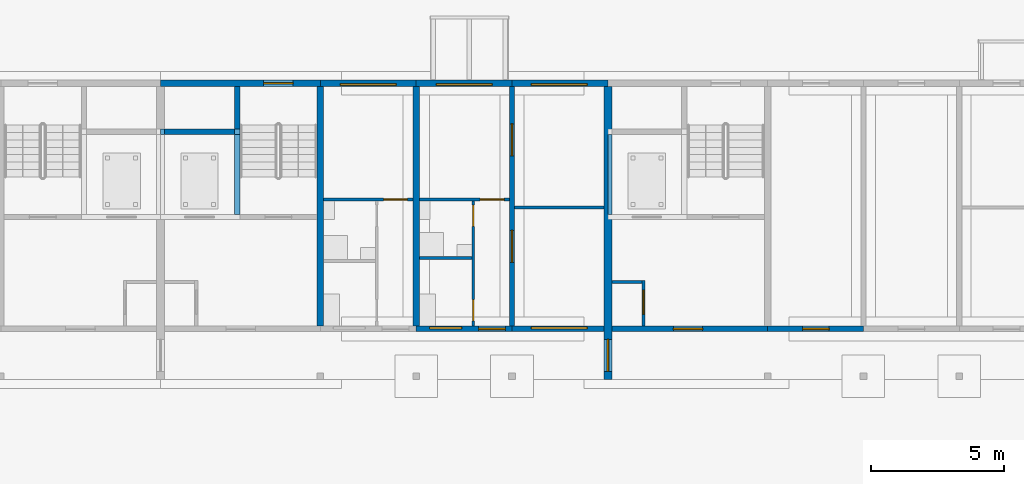
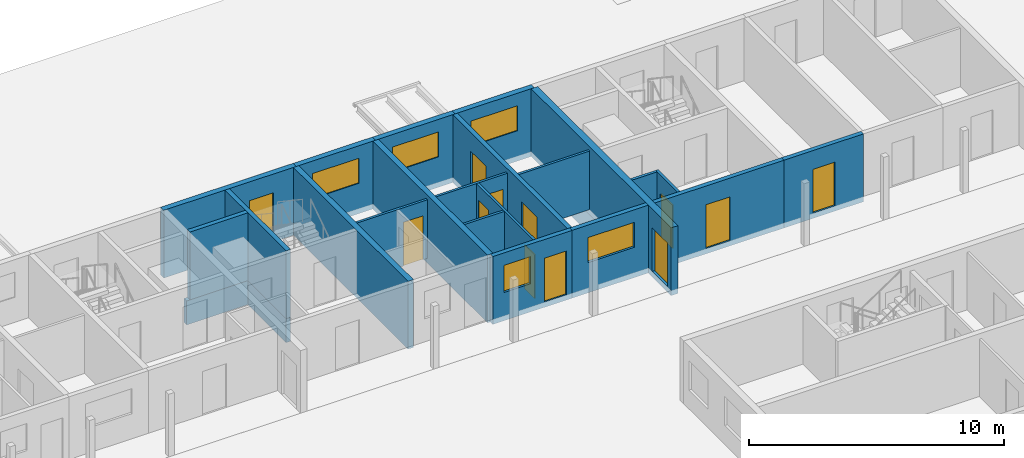
# One storey, part 52 of 112: 24 walls, 12 doors, 5 windows, 17 openings.
"""IFC4 building model written with IfcOpenShell, lengths in metres."""

from ifc_helpers import new_model, si_unit, direction, frame, frame_2d, origin, place, context, subcontext, project, spatial, rectangle, extrude, material, layer, layer_set, type_object, element, fill, save


model = new_model("IFC4")

# Units and contexts
model_context = context("Model", 3, precision=1e-05, world=origin(), true_north=direction((0.0, 1.0)))
body_context = subcontext(model_context, "Body", "Model", "MODEL_VIEW")
ifc_project = project(units=[si_unit("LENGTHUNIT", "METRE"), si_unit("AREAUNIT", "SQUARE_METRE"), si_unit("VOLUMEUNIT", "CUBIC_METRE"), si_unit("PLANEANGLEUNIT", "RADIAN"), si_unit("MASSUNIT", "GRAM", prefix="KILO")], contexts=[model_context])

# Site, building, storey
site_placement = place(None, origin())
site = spatial("IfcSite", under=ifc_project, at=site_placement, CompositionType="ELEMENT")
building_placement = place(site_placement, origin())
building = spatial("IfcBuilding", under=site, at=building_placement, Name="Ridgestep Commons", CompositionType="ELEMENT")
storey_placement = place(building_placement, origin())
storey = spatial("IfcBuildingStorey", under=building, at=storey_placement, Name="L00", CompositionType="ELEMENT", Elevation=0.0)

# Wall
ifc_material_1 = material(Name="Concrete C30/37", Category="concrete")
ifc_layer_1 = layer(ifc_material_1, 0.25)
ifc_layer_set_1 = layer_set([ifc_layer_1], Name="Core cross wall 250")
wall_type_1 = type_object("IfcWallType", Name="Core cross wall 250", PredefinedType="SHEAR", material=ifc_layer_set_1)
wall_1_placement = place(storey_placement, frame((85.199951171875, 68.0, -0.25), z_axis=(0.0, 0.0, 1.0), x_axis=(0.0, 1.0, 0.0)))
element("IfcWall", 1, at=wall_1_placement, inside=storey, type_object=wall_type_1, Name="Cross wall B-00-0852", PredefinedType="SHEAR", context=body_context, shape_type="SweptSolid", body=[
    extrude(rectangle(XDim=9.0, YDim=0.25, at=frame_2d((4.5, 0.0))), origin(), (0.0, 0.0, 1.0), 3.25),
])

# Wall, opening, door
ifc_material_2 = material(Name="Concrete C30/37", Category="concrete")
ifc_layer_2 = layer(ifc_material_2, 0.199951171875)
ifc_layer_set_2 = layer_set([ifc_layer_2], Name="Core south wall 200")
wall_type_2 = type_object("IfcWallType", Name="Core south wall 200", PredefinedType="SHEAR", material=ifc_layer_set_2)
wall_2_placement = place(storey_placement, frame((96.14990234375, 67.89990234375, -0.25), z_axis=(0.0, 0.0, 1.0), x_axis=(1.0, 0.0, 0.0)))
wall_2 = element("IfcWall", 2, at=wall_2_placement, inside=storey, type_object=wall_type_2, Name="Core south wall B6C L00", PredefinedType="SHEAR", context=body_context, shape_type="SweptSolid", body=[
    extrude(rectangle(XDim=5.85009765625, YDim=0.199951171875, at=frame_2d((2.925048828125, 0.0))), origin(), (0.0, 0.0, 1.0), 3.25),
])
opening_1_placement = place(wall_2_placement, frame((2.3125, 0.0, 0.25)))
opening_1 = element("IfcOpeningElement", 3, at=opening_1_placement, cuts=wall_2, Name="Opening B6C/00/1", PredefinedType="OPENING", context=body_context, shape_type="SweptSolid", body=[
    extrude(rectangle(XDim=1.10009765625, YDim=2.10009765625, at=frame_2d((0.550048828125, 1.050048828125))), frame((0.0, 0.10986328125, 0.0), z_axis=(0.0, -1.0, 0.0), x_axis=(1.0, 0.0, 0.0)), (0.0, 0.0, 1.0), 0.219970703125),
])
ifc_material_3 = material(Name="Steel fire door", Category="steel")
door_type_1 = type_object("IfcDoorType", Name="Lobby door 1100 x 2100 FD60", OperationType="NOTDEFINED", PredefinedType="DOOR", material=ifc_material_3)
door_1_placement = place(opening_1_placement, origin())
door_1 = element("IfcDoor", 4, at=door_1_placement, inside=storey, type_object=door_type_1, Name="Lobby door B6C/00/1", OperationType="SINGLE_SWING_LEFT", OverallHeight=2.10009765625, OverallWidth=1.10009765625, PredefinedType="DOOR", context=body_context, shape_type="SweptSolid", body=[
    extrude(rectangle(XDim=1.10009765625, YDim=2.10009765625, at=frame_2d((0.550048828125, 1.050048828125))), frame((0.0, 0.02490234375, 0.0), z_axis=(0.0, -1.0, 0.0), x_axis=(1.0, 0.0, 0.0)), (0.0, 0.0, 1.0), 0.050048828125),
])
fill(opening_1, door_1)

ifc_material_4 = material(Name="Concrete C30/37", Category="concrete")
ifc_layer_3 = layer(ifc_material_4, 0.1201171875)
ifc_layer_set_3 = layer_set([ifc_layer_3], Name="Core wall 120")
wall_type_3 = type_object("IfcWallType", Name="Core wall 120", PredefinedType="SHEAR", material=ifc_layer_set_3)
wall_3_placement = place(storey_placement, frame((97.340087890625, 68.0, -0.25), z_axis=(0.0, 0.0, 1.0), x_axis=(0.0, 1.0, 0.0)))
wall_3 = element("IfcWall", 5, at=wall_3_placement, inside=storey, type_object=wall_type_3, Name="Core riser w wall B6C L00", PredefinedType="SHEAR", context=body_context, shape_type="SweptSolid", body=[
    extrude(rectangle(XDim=1.719970703125, YDim=0.1201171875, at=frame_2d((0.85986328125, 0.0))), origin(), (0.0, 0.0, 1.0), 3.25),
])
opening_2_placement = place(wall_3_placement, frame((0.449951171875, 0.0, 0.25)))
opening_2 = element("IfcOpeningElement", 6, at=opening_2_placement, cuts=wall_3, Name="Opening B6C/00/4", PredefinedType="OPENING", context=body_context, shape_type="SweptSolid", body=[
    extrude(rectangle(XDim=0.89990234375, YDim=2.10009765625, at=frame_2d((0.449951171875, 1.050048828125))), frame((0.0, 0.070068359375, 0.0), z_axis=(0.0, -1.0, 0.0), x_axis=(1.0, 0.0, 0.0)), (0.0, 0.0, 1.0), 0.14013671875),
])
ifc_material_5 = material(Name="Steel fire door", Category="steel")
door_type_2 = type_object("IfcDoorType", Name="Riser door 900 x 2100 FD60", OperationType="NOTDEFINED", PredefinedType="DOOR", material=ifc_material_5)
door_2_placement = place(opening_2_placement, origin())
door_2 = element("IfcDoor", 7, at=door_2_placement, inside=storey, type_object=door_type_2, Name="Riser door B6C/00/4", OperationType="SINGLE_SWING_RIGHT", OverallHeight=2.10009765625, OverallWidth=0.89990234375, PredefinedType="DOOR", context=body_context, shape_type="SweptSolid", body=[
    extrude(rectangle(XDim=0.89990234375, YDim=2.10009765625, at=frame_2d((0.449951171875, 1.050048828125))), frame((0.0, 0.02490234375, 0.0), z_axis=(0.0, -1.0, 0.0), x_axis=(1.0, 0.0, 0.0)), (0.0, 0.0, 1.0), 0.050048828125),
])
fill(opening_2, door_2)

# Walls
wall_4_placement = place(storey_placement, frame((96.14990234375, 69.659912109375, -0.25), z_axis=(0.0, 0.0, 1.0), x_axis=(1.0, 0.0, 0.0)))
element("IfcWall", 8, at=wall_4_placement, inside=storey, type_object=wall_type_3, Name="Core riser n wall B6C L00", PredefinedType="SHEAR", context=body_context, shape_type="SweptSolid", body=[
    extrude(rectangle(XDim=1.130126953125, YDim=0.1201171875, at=frame_2d((0.56494140625, 0.0))), origin(), (0.0, 0.0, 1.0), 3.25),
])
ifc_material_6 = material(Name="Concrete C30/37", Category="concrete")
ifc_layer_4 = layer(ifc_material_6, 0.14990234375)
ifc_layer_set_4 = layer_set([ifc_layer_4], Name="Core wall 150")
wall_type_4 = type_object("IfcWallType", Name="Core wall 150", PredefinedType="SHEAR", material=ifc_layer_set_4)
wall_5_placement = place(storey_placement, frame((96.074951171875, 72.199951171875, -1.39990234375), z_axis=(0.0, 0.0, 1.0), x_axis=(0.0, 1.0, 0.0)))
element("IfcWall", 9, at=wall_5_placement, inside=storey, type_object=wall_type_4, Name="Lift pit wall B6C", PredefinedType="SHEAR", context=body_context, shape_type="SweptSolid", body=[
    extrude(rectangle(XDim=3.0, YDim=0.14990234375, at=frame_2d((1.5, 0.0))), origin(), (0.0, 0.0, 1.0), 1.14990234375),
])
ifc_material_7 = material(Name="Concrete C30/37", Category="concrete")
ifc_layer_5 = layer(ifc_material_7, 0.199951171875)
ifc_layer_set_5 = layer_set([ifc_layer_5], Name="Core wall 200")
wall_type_5 = type_object("IfcWallType", Name="Core wall 200", PredefinedType="SHEAR", material=ifc_layer_set_5)
wall_6_placement = place(storey_placement, frame((82.074951171875, 72.199951171875, -0.25), z_axis=(0.0, 0.0, 1.0), x_axis=(0.0, 1.0, 0.0)))
element("IfcWall", 10, at=wall_6_placement, inside=storey, type_object=wall_type_5, Name="Core stair wall B5C L00", PredefinedType="SHEAR", context=body_context, shape_type="SweptSolid", body=[
    extrude(rectangle(XDim=4.800048828125, YDim=0.199951171875, at=frame_2d((2.39990234375, 0.0))), origin(), (0.0, 0.0, 1.0), 3.25),
])
wall_7_placement = place(storey_placement, frame((79.35009765625, 75.300048828125, -0.25), z_axis=(0.0, 0.0, 1.0), x_axis=(1.0, 0.0, 0.0)))
element("IfcWall", 11, at=wall_7_placement, inside=storey, type_object=wall_type_5, Name="Core duct wall B5C L00", PredefinedType="SHEAR", context=body_context, shape_type="SweptSolid", body=[
    extrude(rectangle(XDim=2.625, YDim=0.199951171875, at=frame_2d((1.3125, 0.0))), origin(), (0.0, 0.0, 1.0), 3.25),
])
wall_8_placement = place(storey_placement, frame((79.199951171875, 75.300048828125, -1.39990234375), z_axis=(0.0, 0.0, 1.0), x_axis=(1.0, 0.0, 0.0)))
element("IfcWall", 12, at=wall_8_placement, inside=storey, type_object=wall_type_5, Name="Lift pit wall B5C", PredefinedType="SHEAR", context=body_context, shape_type="SweptSolid", body=[
    extrude(rectangle(XDim=2.97509765625, YDim=0.199951171875, at=frame_2d((1.487548828125, 0.0))), origin(), (0.0, 0.0, 1.0), 1.14990234375),
])
wall_9_placement = place(storey_placement, frame((82.074951171875, 72.199951171875, -1.39990234375), z_axis=(0.0, 0.0, 1.0), x_axis=(0.0, 1.0, 0.0)))
element("IfcWall", 13, at=wall_9_placement, inside=storey, type_object=wall_type_5, Name="Lift pit wall B5C", PredefinedType="SHEAR", context=body_context, shape_type="SweptSolid", body=[
    extrude(rectangle(XDim=3.0, YDim=0.199951171875, at=frame_2d((1.5, 0.0))), origin(), (0.0, 0.0, 1.0), 1.14990234375),
])

# Wall, openings, doors
ifc_material_8 = material(Name="Precast concrete C40/50", Category="concrete")
ifc_layer_6 = layer(ifc_material_8, 0.199951171875)
ifc_layer_set_6 = layer_set([ifc_layer_6], Name="Cross wall 200")
wall_type_6 = type_object("IfcWallType", Name="Cross wall 200", PredefinedType="SHEAR", material=ifc_layer_set_6)
wall_10_placement = place(storey_placement, frame((92.39990234375, 68.0, -0.25), z_axis=(0.0, 0.0, 1.0), x_axis=(0.0, 1.0, 0.0)))
wall_10 = element("IfcWall", 14, at=wall_10_placement, inside=storey, type_object=wall_type_6, Name="Cross wall B-00-0924", PredefinedType="SHEAR", context=body_context, shape_type="SweptSolid", body=[
    extrude(rectangle(XDim=9.0, YDim=0.199951171875, at=frame_2d((4.5, 0.0))), origin(), (0.0, 0.0, 1.0), 3.25),
])
opening_3_placement = place(wall_10_placement, frame((2.39990234375, 0.0, 0.25)))
opening_3 = element("IfcOpeningElement", 15, at=opening_3_placement, cuts=wall_10, Name="Opening B5-00a/5", PredefinedType="OPENING", context=body_context, shape_type="SweptSolid", body=[
    extrude(rectangle(XDim=1.199951171875, YDim=2.10009765625, at=frame_2d((0.60009765625, 1.050048828125))), frame((0.0, 0.10986328125, 0.0), z_axis=(0.0, -1.0, 0.0), x_axis=(1.0, 0.0, 0.0)), (0.0, 0.0, 1.0), 0.219970703125),
])
opening_4_placement = place(wall_10_placement, frame((6.39990234375, 0.0, 0.25)))
opening_4 = element("IfcOpeningElement", 16, at=opening_4_placement, cuts=wall_10, Name="Opening B5-00a/6", PredefinedType="OPENING", context=body_context, shape_type="SweptSolid", body=[
    extrude(rectangle(XDim=1.199951171875, YDim=2.10009765625, at=frame_2d((0.60009765625, 1.050048828125))), frame((0.0, 0.10986328125, 0.0), z_axis=(0.0, -1.0, 0.0), x_axis=(1.0, 0.0, 0.0)), (0.0, 0.0, 1.0), 0.219970703125),
])
ifc_material_9 = material(Name="Timber door leaf", Category="wood")
door_type_3 = type_object("IfcDoorType", Name="Double door 1200 x 2100", OperationType="DOUBLE_DOOR_SINGLE_SWING", PredefinedType="DOOR", material=ifc_material_9)
door_3_placement = place(opening_3_placement, origin())
door_3 = element("IfcDoor", 17, at=door_3_placement, inside=storey, type_object=door_type_3, Name="Double door B5-00a/5", OperationType="DOUBLE_DOOR_SINGLE_SWING", OverallHeight=2.10009765625, OverallWidth=1.199951171875, PredefinedType="DOOR", context=body_context, shape_type="SweptSolid", body=[
    extrude(rectangle(XDim=1.199951171875, YDim=2.10009765625, at=frame_2d((0.60009765625, 1.050048828125))), frame((0.0, 0.02490234375, 0.0), z_axis=(0.0, -1.0, 0.0), x_axis=(1.0, 0.0, 0.0)), (0.0, 0.0, 1.0), 0.050048828125),
])
fill(opening_3, door_3)
door_4_placement = place(opening_4_placement, origin())
door_4 = element("IfcDoor", 18, at=door_4_placement, inside=storey, type_object=door_type_3, Name="Double door B5-00a/6", OperationType="DOUBLE_DOOR_SINGLE_SWING", OverallHeight=2.10009765625, OverallWidth=1.199951171875, PredefinedType="DOOR", context=body_context, shape_type="SweptSolid", body=[
    extrude(rectangle(XDim=1.199951171875, YDim=2.10009765625, at=frame_2d((0.60009765625, 1.050048828125))), frame((0.0, 0.02490234375, 0.0), z_axis=(0.0, -1.0, 0.0), x_axis=(1.0, 0.0, 0.0)), (0.0, 0.0, 1.0), 0.050048828125),
])
fill(opening_4, door_4)

# Wall
ifc_material_10 = material(Name="Precast concrete C40/50", Category="concrete")
ifc_layer_7 = layer(ifc_material_10, 0.25)
ifc_layer_set_7 = layer_set([ifc_layer_7], Name="Cross wall 250")
wall_type_7 = type_object("IfcWallType", Name="Cross wall 250", PredefinedType="SHEAR", material=ifc_layer_set_7)
wall_11_placement = place(storey_placement, frame((88.800048828125, 68.0, -0.25), z_axis=(0.0, 0.0, 1.0), x_axis=(0.0, 1.0, 0.0)))
element("IfcWall", 19, at=wall_11_placement, inside=storey, type_object=wall_type_7, Name="Cross wall B-00-0888", PredefinedType="SHEAR", context=body_context, shape_type="SweptSolid", body=[
    extrude(rectangle(XDim=9.0, YDim=0.25, at=frame_2d((4.5, 0.0))), origin(), (0.0, 0.0, 1.0), 3.25),
])

# Wall, opening, door
ifc_material_11 = material(Name="Precast concrete C40/50", Category="concrete")
ifc_layer_8 = layer(ifc_material_11, 0.300048828125)
ifc_layer_set_8 = layer_set([ifc_layer_8], Name="Division wall 300")
wall_type_8 = type_object("IfcWallType", Name="Division wall 300", PredefinedType="SHEAR", material=ifc_layer_set_8)
wall_12_placement = place(storey_placement, frame((96.0, 66.0, -0.25), z_axis=(0.0, 0.0, 1.0), x_axis=(0.0, 1.0, 0.0)))
wall_12 = element("IfcWall", 20, at=wall_12_placement, inside=storey, type_object=wall_type_8, Name="Cross wall B-00-0960", PredefinedType="SHEAR", context=body_context, shape_type="SweptSolid", body=[
    extrude(rectangle(XDim=11.0, YDim=0.300048828125, at=frame_2d((5.5, 0.0))), origin(), (0.0, 0.0, 1.0), 3.25),
])
opening_5_placement = place(wall_12_placement, frame((0.300048828125, 0.0, 0.25)))
opening_5 = element("IfcOpeningElement", 21, at=opening_5_placement, cuts=wall_12, Name="Opening B/00/G0960", PredefinedType="OPENING", context=body_context, shape_type="SweptSolid", body=[
    extrude(rectangle(XDim=1.199951171875, YDim=2.10009765625, at=frame_2d((0.60009765625, 1.050048828125))), frame((0.0, 0.159912109375, 0.0), z_axis=(0.0, -1.0, 0.0), x_axis=(1.0, 0.0, 0.0)), (0.0, 0.0, 1.0), 0.320068359375),
])
ifc_material_12 = material(Name="Steel fire door", Category="steel")
door_type_4 = type_object("IfcDoorType", Name="Division fire door 1200 x 2100 EI 240", OperationType="DOUBLE_DOOR_SINGLE_SWING", PredefinedType="DOOR", material=ifc_material_12)
door_5_placement = place(opening_5_placement, origin())
door_5 = element("IfcDoor", 22, at=door_5_placement, inside=storey, type_object=door_type_4, Name="Division fire door B/00/G0960", OperationType="DOUBLE_DOOR_SINGLE_SWING", OverallHeight=2.10009765625, OverallWidth=1.199951171875, PredefinedType="DOOR", context=body_context, shape_type="SweptSolid", body=[
    extrude(rectangle(XDim=1.199951171875, YDim=2.10009765625, at=frame_2d((0.60009765625, 1.050048828125))), frame((0.0, 0.02490234375, 0.0), z_axis=(0.0, -1.0, 0.0), x_axis=(1.0, 0.0, 0.0)), (0.0, 0.0, 1.0), 0.050048828125),
])
fill(opening_5, door_5)

ifc_material_13 = material(Name="Precast concrete C40/50", Category="concrete")
ifc_layer_9 = layer(ifc_material_13, 0.25)
ifc_layer_set_9 = layer_set([ifc_layer_9], Name="North facade panel 250")
wall_type_9 = type_object("IfcWallType", Name="North facade panel 250", PredefinedType="SOLIDWALL", material=ifc_layer_set_9)
wall_13_placement = place(storey_placement, frame((79.199951171875, 77.125, -0.25), z_axis=(0.0, 0.0, 1.0), x_axis=(1.0, 0.0, 0.0)))
wall_13 = element("IfcWall", 23, at=wall_13_placement, inside=storey, type_object=wall_type_9, Name="North panel B5C L00", PredefinedType="SOLIDWALL", context=body_context, shape_type="SweptSolid", body=[
    extrude(rectangle(XDim=6.0, YDim=0.25, at=frame_2d((3.0, 0.0))), origin(), (0.0, 0.0, 1.0), 3.25),
])
opening_6_placement = place(wall_13_placement, frame((3.875, 0.0, 0.25)))
opening_6 = element("IfcOpeningElement", 24, at=opening_6_placement, cuts=wall_13, Name="Opening B5C/00/5", PredefinedType="OPENING", context=body_context, shape_type="SweptSolid", body=[
    extrude(rectangle(XDim=1.10009765625, YDim=2.10009765625, at=frame_2d((0.550048828125, 1.050048828125))), frame((0.0, 0.135009765625, 0.0), z_axis=(0.0, -1.0, 0.0), x_axis=(1.0, 0.0, 0.0)), (0.0, 0.0, 1.0), 0.27001953125),
])
ifc_material_14 = material(Name="Steel fire door", Category="steel")
door_type_5 = type_object("IfcDoorType", Name="Stair exit door 1100 x 2100 FD60", OperationType="NOTDEFINED", PredefinedType="DOOR", material=ifc_material_14)
door_6_placement = place(opening_6_placement, origin())
door_6 = element("IfcDoor", 25, at=door_6_placement, inside=storey, type_object=door_type_5, Name="Stair exit door B5C/00/5", OperationType="SINGLE_SWING_LEFT", OverallHeight=2.10009765625, OverallWidth=1.10009765625, PredefinedType="DOOR", context=body_context, shape_type="SweptSolid", body=[
    extrude(rectangle(XDim=1.10009765625, YDim=2.10009765625, at=frame_2d((0.550048828125, 1.050048828125))), frame((0.0, 0.02490234375, 0.0), z_axis=(0.0, -1.0, 0.0), x_axis=(1.0, 0.0, 0.0)), (0.0, 0.0, 1.0), 0.050048828125),
])
fill(opening_6, door_6)

# Wall, opening, window
wall_14_placement = place(storey_placement, frame((85.199951171875, 77.125, -0.25), z_axis=(0.0, 0.0, 1.0), x_axis=(1.0, 0.0, 0.0)))
wall_14 = element("IfcWall", 26, at=wall_14_placement, inside=storey, type_object=wall_type_9, Name="North panel B5T3 L00", PredefinedType="SOLIDWALL", context=body_context, shape_type="SweptSolid", body=[
    extrude(rectangle(XDim=3.60009765625, YDim=0.25, at=frame_2d((1.800048828125, 0.0))), origin(), (0.0, 0.0, 1.0), 3.25),
])
opening_7_placement = place(wall_14_placement, frame((0.75, 0.0, 1.449951171875)))
opening_7 = element("IfcOpeningElement", 27, at=opening_7_placement, cuts=wall_14, Name="Opening W22", PredefinedType="OPENING", context=body_context, shape_type="SweptSolid", body=[
    extrude(rectangle(XDim=2.10009765625, YDim=1.199951171875, at=frame_2d((1.050048828125, 0.60009765625))), frame((0.0, 0.135009765625, 0.0), z_axis=(0.0, -1.0, 0.0), x_axis=(1.0, 0.0, 0.0)), (0.0, 0.0, 1.0), 0.27001953125),
])
ifc_material_15 = material(Name="Aluminium 6063-T6 and glass", Category="aluminium")
window_type_1 = type_object("IfcWindowType", Name="Flat window 2100 x 1200", PartitioningType="DOUBLE_PANEL_VERTICAL", PredefinedType="WINDOW", material=ifc_material_15)
window_1_placement = place(opening_7_placement, origin())
window_1 = element("IfcWindow", 28, at=window_1_placement, inside=storey, type_object=window_type_1, Name="Window B5-00b 2", OverallHeight=1.199951171875, OverallWidth=2.10009765625, PartitioningType="SINGLE_PANEL", PredefinedType="WINDOW", context=body_context, shape_type="SweptSolid", body=[
    extrude(rectangle(XDim=2.10009765625, YDim=1.199951171875, at=frame_2d((1.050048828125, 0.60009765625))), frame((0.0, -0.02490234375, 0.0), z_axis=(0.0, -1.0, 0.0), x_axis=(1.0, 0.0, 0.0)), (0.0, 0.0, 1.0), 0.06005859375),
])
fill(opening_7, window_1)

wall_15_placement = place(storey_placement, frame((88.800048828125, 77.125, -0.25), z_axis=(0.0, 0.0, 1.0), x_axis=(1.0, 0.0, 0.0)))
wall_15 = element("IfcWall", 29, at=wall_15_placement, inside=storey, type_object=wall_type_9, Name="North panel B5T2 L00", PredefinedType="SOLIDWALL", context=body_context, shape_type="SweptSolid", body=[
    extrude(rectangle(XDim=3.599853515625, YDim=0.25, at=frame_2d((1.7998046875, 0.0))), origin(), (0.0, 0.0, 1.0), 3.25),
])
opening_8_placement = place(wall_15_placement, frame((0.762451171875, 0.0, 1.449951171875)))
opening_8 = element("IfcOpeningElement", 30, at=opening_8_placement, cuts=wall_15, Name="Opening W22", PredefinedType="OPENING", context=body_context, shape_type="SweptSolid", body=[
    extrude(rectangle(XDim=2.10009765625, YDim=1.199951171875, at=frame_2d((1.050048828125, 0.60009765625))), frame((0.0, 0.135009765625, 0.0), z_axis=(0.0, -1.0, 0.0), x_axis=(1.0, 0.0, 0.0)), (0.0, 0.0, 1.0), 0.27001953125),
])
window_2_placement = place(opening_8_placement, origin())
window_2 = element("IfcWindow", 31, at=window_2_placement, inside=storey, type_object=window_type_1, Name="Window B5-00a 4", OverallHeight=1.199951171875, OverallWidth=2.10009765625, PartitioningType="SINGLE_PANEL", PredefinedType="WINDOW", context=body_context, shape_type="SweptSolid", body=[
    extrude(rectangle(XDim=2.10009765625, YDim=1.199951171875, at=frame_2d((1.050048828125, 0.60009765625))), frame((0.0, -0.02490234375, 0.0), z_axis=(0.0, -1.0, 0.0), x_axis=(1.0, 0.0, 0.0)), (0.0, 0.0, 1.0), 0.06005859375),
])
fill(opening_8, window_2)

wall_16_placement = place(storey_placement, frame((92.39990234375, 77.125, -0.25), z_axis=(0.0, 0.0, 1.0), x_axis=(1.0, 0.0, 0.0)))
wall_16 = element("IfcWall", 32, at=wall_16_placement, inside=storey, type_object=wall_type_9, Name="North panel B5T1 L00", PredefinedType="SOLIDWALL", context=body_context, shape_type="SweptSolid", body=[
    extrude(rectangle(XDim=3.60009765625, YDim=0.25, at=frame_2d((1.800048828125, 0.0))), origin(), (0.0, 0.0, 1.0), 3.25),
])
opening_9_placement = place(wall_16_placement, frame((0.72509765625, 0.0, 1.449951171875)))
opening_9 = element("IfcOpeningElement", 33, at=opening_9_placement, cuts=wall_16, Name="Opening W22", PredefinedType="OPENING", context=body_context, shape_type="SweptSolid", body=[
    extrude(rectangle(XDim=2.10009765625, YDim=1.199951171875, at=frame_2d((1.050048828125, 0.60009765625))), frame((0.0, 0.135009765625, 0.0), z_axis=(0.0, -1.0, 0.0), x_axis=(1.0, 0.0, 0.0)), (0.0, 0.0, 1.0), 0.27001953125),
])
window_3_placement = place(opening_9_placement, origin())
window_3 = element("IfcWindow", 34, at=window_3_placement, inside=storey, type_object=window_type_1, Name="Window B5-00a 2", OverallHeight=1.199951171875, OverallWidth=2.10009765625, PartitioningType="SINGLE_PANEL", PredefinedType="WINDOW", context=body_context, shape_type="SweptSolid", body=[
    extrude(rectangle(XDim=2.10009765625, YDim=1.199951171875, at=frame_2d((1.050048828125, 0.60009765625))), frame((0.0, -0.02490234375, 0.0), z_axis=(0.0, -1.0, 0.0), x_axis=(1.0, 0.0, 0.0)), (0.0, 0.0, 1.0), 0.06005859375),
])
fill(opening_9, window_3)

# Wall
ifc_material_16 = material(Name="Common brick 110 mm", Category="masonry")
ifc_layer_10 = layer(ifc_material_16, 0.110107421875)
ifc_layer_set_10 = layer_set([ifc_layer_10], Name="Partition 110")
wall_type_10 = type_object("IfcWallType", Name="Partition 110", PredefinedType="PARTITIONING", material=ifc_layer_set_10)
wall_17_placement = place(storey_placement, frame((88.925048828125, 70.554931640625, 0.0), z_axis=(0.0, 0.0, 1.0), x_axis=(1.0, 0.0, 0.0)))
element("IfcWall", 35, at=wall_17_placement, inside=storey, type_object=wall_type_10, Name="Partition B5-00a", PredefinedType="PARTITIONING", context=body_context, shape_type="SweptSolid", body=[
    extrude(rectangle(XDim=1.96484375, YDim=0.110107421875, at=frame_2d((0.982421875, 0.0))), origin(), (0.0, 0.0, 1.0), 2.800048828125),
])

# Wall, openings, doors
wall_18_placement = place(storey_placement, frame((90.945068359375, 68.0, 0.0), z_axis=(0.0, 0.0, 1.0), x_axis=(0.0, 1.0, 0.0)))
wall_18 = element("IfcWall", 36, at=wall_18_placement, inside=storey, type_object=wall_type_10, Name="Partition B5-00a", PredefinedType="PARTITIONING", context=body_context, shape_type="SweptSolid", body=[
    extrude(rectangle(XDim=4.699951171875, YDim=0.110107421875, at=frame_2d((2.35009765625, 0.0))), origin(), (0.0, 0.0, 1.0), 2.800048828125),
])
opening_10_placement = place(wall_18_placement, frame((0.199951171875, 0.0, 0.0)))
opening_10 = element("IfcOpeningElement", 37, at=opening_10_placement, cuts=wall_18, Name="Opening B5-00a/2", PredefinedType="OPENING", context=body_context, shape_type="SweptSolid", body=[
    extrude(rectangle(XDim=0.800048828125, YDim=2.10009765625, at=frame_2d((0.39990234375, 1.050048828125))), frame((0.0, 0.06494140625, 0.0), z_axis=(0.0, -1.0, 0.0), x_axis=(1.0, 0.0, 0.0)), (0.0, 0.0, 1.0), 0.130126953125),
])
opening_11_placement = place(wall_18_placement, frame((3.75, 0.0, 0.0)))
opening_11 = element("IfcOpeningElement", 38, at=opening_11_placement, cuts=wall_18, Name="Opening B5-00a/3", PredefinedType="OPENING", context=body_context, shape_type="SweptSolid", body=[
    extrude(rectangle(XDim=0.800048828125, YDim=2.10009765625, at=frame_2d((0.39990234375, 1.050048828125))), frame((0.0, 0.06494140625, 0.0), z_axis=(0.0, -1.0, 0.0), x_axis=(1.0, 0.0, 0.0)), (0.0, 0.0, 1.0), 0.130126953125),
])
ifc_material_17 = material(Name="Timber door leaf", Category="wood")
door_type_6 = type_object("IfcDoorType", Name="Internal door 800 x 2100", OperationType="NOTDEFINED", PredefinedType="DOOR", material=ifc_material_17)
door_7_placement = place(opening_10_placement, origin())
door_7 = element("IfcDoor", 39, at=door_7_placement, inside=storey, type_object=door_type_6, Name="Internal door B5-00a/2", OperationType="SINGLE_SWING_LEFT", OverallHeight=2.10009765625, OverallWidth=0.800048828125, PredefinedType="DOOR", context=body_context, shape_type="SweptSolid", body=[
    extrude(rectangle(XDim=0.800048828125, YDim=2.10009765625, at=frame_2d((0.39990234375, 1.050048828125))), frame((0.0, 0.02490234375, 0.0), z_axis=(0.0, -1.0, 0.0), x_axis=(1.0, 0.0, 0.0)), (0.0, 0.0, 1.0), 0.050048828125),
])
fill(opening_10, door_7)
door_8_placement = place(opening_11_placement, origin())
door_8 = element("IfcDoor", 40, at=door_8_placement, inside=storey, type_object=door_type_6, Name="Internal door B5-00a/3", OperationType="SINGLE_SWING_RIGHT", OverallHeight=2.10009765625, OverallWidth=0.800048828125, PredefinedType="DOOR", context=body_context, shape_type="SweptSolid", body=[
    extrude(rectangle(XDim=0.800048828125, YDim=2.10009765625, at=frame_2d((0.39990234375, 1.050048828125))), frame((0.0, 0.02490234375, 0.0), z_axis=(0.0, -1.0, 0.0), x_axis=(1.0, 0.0, 0.0)), (0.0, 0.0, 1.0), 0.050048828125),
])
fill(opening_11, door_8)

# Wall, opening, door
wall_19_placement = place(storey_placement, frame((88.925048828125, 72.7548828125, 0.0), z_axis=(0.0, 0.0, 1.0), x_axis=(1.0, 0.0, 0.0)))
wall_19 = element("IfcWall", 41, at=wall_19_placement, inside=storey, type_object=wall_type_10, Name="Partition B5-00a", PredefinedType="PARTITIONING", context=body_context, shape_type="SweptSolid", body=[
    extrude(rectangle(XDim=3.375, YDim=0.110107421875, at=frame_2d((1.6875, 0.0))), origin(), (0.0, 0.0, 1.0), 2.800048828125),
])
opening_12_placement = place(wall_19_placement, frame((2.27490234375, 0.0, 0.0)))
opening_12 = element("IfcOpeningElement", 42, at=opening_12_placement, cuts=wall_19, Name="Opening B5-00a/4", PredefinedType="OPENING", context=body_context, shape_type="SweptSolid", body=[
    extrude(rectangle(XDim=0.89990234375, YDim=2.10009765625, at=frame_2d((0.449951171875, 1.050048828125))), frame((0.0, 0.06494140625, 0.0), z_axis=(0.0, -1.0, 0.0), x_axis=(1.0, 0.0, 0.0)), (0.0, 0.0, 1.0), 0.130126953125),
])
ifc_material_18 = material(Name="Timber door leaf", Category="wood")
door_type_7 = type_object("IfcDoorType", Name="Internal door 900 x 2100", OperationType="NOTDEFINED", PredefinedType="DOOR", material=ifc_material_18)
door_9_placement = place(opening_12_placement, origin())
door_9 = element("IfcDoor", 43, at=door_9_placement, inside=storey, type_object=door_type_7, Name="Internal door B5-00a/4", OperationType="SINGLE_SWING_LEFT", OverallHeight=2.10009765625, OverallWidth=0.89990234375, PredefinedType="DOOR", context=body_context, shape_type="SweptSolid", body=[
    extrude(rectangle(XDim=0.89990234375, YDim=2.10009765625, at=frame_2d((0.449951171875, 1.050048828125))), frame((0.0, 0.02490234375, 0.0), z_axis=(0.0, -1.0, 0.0), x_axis=(1.0, 0.0, 0.0)), (0.0, 0.0, 1.0), 0.050048828125),
])
fill(opening_12, door_9)

# Wall
wall_20_placement = place(storey_placement, frame((92.5, 72.455078125, 0.0), z_axis=(0.0, 0.0, 1.0), x_axis=(1.0, 0.0, 0.0)))
element("IfcWall", 44, at=wall_20_placement, inside=storey, type_object=wall_type_10, Name="Partition B5-00a", PredefinedType="PARTITIONING", context=body_context, shape_type="SweptSolid", body=[
    extrude(rectangle(XDim=3.35009765625, YDim=0.110107421875, at=frame_2d((1.675048828125, 0.0))), origin(), (0.0, 0.0, 1.0), 2.800048828125),
])

# Wall, opening, door
wall_21_placement = place(storey_placement, frame((85.324951171875, 72.7548828125, 0.0), z_axis=(0.0, 0.0, 1.0), x_axis=(1.0, 0.0, 0.0)))
wall_21 = element("IfcWall", 45, at=wall_21_placement, inside=storey, type_object=wall_type_10, Name="Partition B5-00b", PredefinedType="PARTITIONING", context=body_context, shape_type="SweptSolid", body=[
    extrude(rectangle(XDim=3.35009765625, YDim=0.110107421875, at=frame_2d((1.675048828125, 0.0))), origin(), (0.0, 0.0, 1.0), 2.800048828125),
])
opening_13_placement = place(wall_21_placement, frame((2.25, 0.0, 0.0)))
opening_13 = element("IfcOpeningElement", 46, at=opening_13_placement, cuts=wall_21, Name="Opening B5-00b/4", PredefinedType="OPENING", context=body_context, shape_type="SweptSolid", body=[
    extrude(rectangle(XDim=0.89990234375, YDim=2.10009765625, at=frame_2d((0.449951171875, 1.050048828125))), frame((0.0, 0.06494140625, 0.0), z_axis=(0.0, -1.0, 0.0), x_axis=(1.0, 0.0, 0.0)), (0.0, 0.0, 1.0), 0.130126953125),
])
door_10_placement = place(opening_13_placement, origin())
door_10 = element("IfcDoor", 47, at=door_10_placement, inside=storey, type_object=door_type_7, Name="Internal door B5-00b/4", OperationType="SINGLE_SWING_RIGHT", OverallHeight=2.10009765625, OverallWidth=0.89990234375, PredefinedType="DOOR", context=body_context, shape_type="SweptSolid", body=[
    extrude(rectangle(XDim=0.89990234375, YDim=2.10009765625, at=frame_2d((0.449951171875, 1.050048828125))), frame((0.0, 0.02490234375, 0.0), z_axis=(0.0, -1.0, 0.0), x_axis=(1.0, 0.0, 0.0)), (0.0, 0.0, 1.0), 0.050048828125),
])
fill(opening_13, door_10)

# Wall, openings, door, window
ifc_material_19 = material(Name="Precast concrete C40/50", Category="concrete")
ifc_layer_11 = layer(ifc_material_19, 0.199951171875)
ifc_layer_set_11 = layer_set([ifc_layer_11], Name="South facade panel 200")
wall_type_11 = type_object("IfcWallType", Name="South facade panel 200", PredefinedType="SOLIDWALL", material=ifc_layer_set_11)
wall_22_placement = place(storey_placement, frame((88.800048828125, 67.89990234375, -0.25), z_axis=(0.0, 0.0, 1.0), x_axis=(1.0, 0.0, 0.0)))
wall_22 = element("IfcWall", 48, at=wall_22_placement, inside=storey, type_object=wall_type_11, Name="South panel B5T2 L00", PredefinedType="SOLIDWALL", context=body_context, shape_type="SweptSolid", body=[
    extrude(rectangle(XDim=3.599853515625, YDim=0.199951171875, at=frame_2d((1.7998046875, 0.0))), origin(), (0.0, 0.0, 1.0), 3.25),
])
opening_14_placement = place(wall_22_placement, frame((0.507568359375, 0.0, 1.35009765625)))
opening_14 = element("IfcOpeningElement", 49, at=opening_14_placement, cuts=wall_22, Name="Opening W08", PredefinedType="OPENING", context=body_context, shape_type="SweptSolid", body=[
    extrude(rectangle(XDim=1.199951171875, YDim=1.300048828125, at=frame_2d((0.60009765625, 0.64990234375))), frame((0.0, 0.10986328125, 0.0), z_axis=(0.0, -1.0, 0.0), x_axis=(1.0, 0.0, 0.0)), (0.0, 0.0, 1.0), 0.219970703125),
])
opening_15_placement = place(wall_22_placement, frame((2.35009765625, 0.0, 0.25)))
opening_15 = element("IfcOpeningElement", 50, at=opening_15_placement, cuts=wall_22, Name="Opening B5-00a/1", PredefinedType="OPENING", context=body_context, shape_type="SweptSolid", body=[
    extrude(rectangle(XDim=1.0, YDim=2.10009765625, at=frame_2d((0.5, 1.050048828125))), frame((0.0, 0.10986328125, 0.0), z_axis=(0.0, -1.0, 0.0), x_axis=(1.0, 0.0, 0.0)), (0.0, 0.0, 1.0), 0.219970703125),
])
ifc_material_20 = material(Name="Timber door leaf", Category="wood")
door_type_8 = type_object("IfcDoorType", Name="Flat entrance door 1000 x 2100 FD30S", OperationType="NOTDEFINED", PredefinedType="DOOR", material=ifc_material_20)
door_11_placement = place(opening_15_placement, origin())
door_11 = element("IfcDoor", 51, at=door_11_placement, inside=storey, type_object=door_type_8, Name="Flat entrance door B5-00a/1", OperationType="SINGLE_SWING_RIGHT", OverallHeight=2.10009765625, OverallWidth=1.0, PredefinedType="DOOR", context=body_context, shape_type="SweptSolid", body=[
    extrude(rectangle(XDim=1.0, YDim=2.10009765625, at=frame_2d((0.5, 1.050048828125))), frame((0.0, 0.02490234375, 0.0), z_axis=(0.0, -1.0, 0.0), x_axis=(1.0, 0.0, 0.0)), (0.0, 0.0, 1.0), 0.050048828125),
])
fill(opening_15, door_11)
ifc_material_21 = material(Name="Aluminium 6063-T6 and glass", Category="aluminium")
window_type_2 = type_object("IfcWindowType", Name="Flat window 1200 x 1300", PartitioningType="SINGLE_PANEL", PredefinedType="WINDOW", material=ifc_material_21)
window_4_placement = place(opening_14_placement, origin())
window_4 = element("IfcWindow", 52, at=window_4_placement, inside=storey, type_object=window_type_2, Name="Window B5-00a 3", OverallHeight=1.300048828125, OverallWidth=1.199951171875, PartitioningType="SINGLE_PANEL", PredefinedType="WINDOW", context=body_context, shape_type="SweptSolid", body=[
    extrude(rectangle(XDim=1.199951171875, YDim=1.300048828125, at=frame_2d((0.60009765625, 0.64990234375))), frame((0.0, 0.06005859375, 0.0), z_axis=(0.0, -1.0, 0.0), x_axis=(1.0, 0.0, 0.0)), (0.0, 0.0, 1.0), 0.06005859375),
])
fill(opening_14, window_4)

# Wall, opening, window
wall_23_placement = place(storey_placement, frame((92.39990234375, 67.89990234375, -0.25), z_axis=(0.0, 0.0, 1.0), x_axis=(1.0, 0.0, 0.0)))
wall_23 = element("IfcWall", 53, at=wall_23_placement, inside=storey, type_object=wall_type_11, Name="South panel B5T1 L00", PredefinedType="SOLIDWALL", context=body_context, shape_type="SweptSolid", body=[
    extrude(rectangle(XDim=3.4501953125, YDim=0.199951171875, at=frame_2d((1.72509765625, 0.0))), origin(), (0.0, 0.0, 1.0), 3.25),
])
opening_16_placement = place(wall_23_placement, frame((0.72509765625, 0.0, 1.449951171875)))
opening_16 = element("IfcOpeningElement", 54, at=opening_16_placement, cuts=wall_23, Name="Opening W22", PredefinedType="OPENING", context=body_context, shape_type="SweptSolid", body=[
    extrude(rectangle(XDim=2.10009765625, YDim=1.199951171875, at=frame_2d((1.050048828125, 0.60009765625))), frame((0.0, 0.10986328125, 0.0), z_axis=(0.0, -1.0, 0.0), x_axis=(1.0, 0.0, 0.0)), (0.0, 0.0, 1.0), 0.219970703125),
])
window_5_placement = place(opening_16_placement, origin())
window_5 = element("IfcWindow", 55, at=window_5_placement, inside=storey, type_object=window_type_1, Name="Window B5-00a 1", OverallHeight=1.199951171875, OverallWidth=2.10009765625, PartitioningType="SINGLE_PANEL", PredefinedType="WINDOW", context=body_context, shape_type="SweptSolid", body=[
    extrude(rectangle(XDim=2.10009765625, YDim=1.199951171875, at=frame_2d((1.050048828125, 0.60009765625))), frame((0.0, 0.06005859375, 0.0), z_axis=(0.0, -1.0, 0.0), x_axis=(1.0, 0.0, 0.0)), (0.0, 0.0, 1.0), 0.06005859375),
])
fill(opening_16, window_5)

# Wall, opening, door
wall_24_placement = place(storey_placement, frame((102.0, 67.89990234375, -0.25), z_axis=(0.0, 0.0, 1.0), x_axis=(1.0, 0.0, 0.0)))
wall_24 = element("IfcWall", 56, at=wall_24_placement, inside=storey, type_object=wall_type_11, Name="South panel B6T3 L00", PredefinedType="SOLIDWALL", context=body_context, shape_type="SweptSolid", body=[
    extrude(rectangle(XDim=3.60009765625, YDim=0.199951171875, at=frame_2d((1.800048828125, 0.0))), origin(), (0.0, 0.0, 1.0), 3.25),
])
opening_17_placement = place(wall_24_placement, frame((1.3125, 0.0, 0.25)))
opening_17 = element("IfcOpeningElement", 57, at=opening_17_placement, cuts=wall_24, Name="Opening B6-00s/1", PredefinedType="OPENING", context=body_context, shape_type="SweptSolid", body=[
    extrude(rectangle(XDim=1.0, YDim=2.10009765625, at=frame_2d((0.5, 1.050048828125))), frame((0.0, 0.10986328125, 0.0), z_axis=(0.0, -1.0, 0.0), x_axis=(1.0, 0.0, 0.0)), (0.0, 0.0, 1.0), 0.219970703125),
])
ifc_material_22 = material(Name="Steel door leaf", Category="steel")
door_type_9 = type_object("IfcDoorType", Name="Store door 1000 x 2100", OperationType="NOTDEFINED", PredefinedType="DOOR", material=ifc_material_22)
door_12_placement = place(opening_17_placement, origin())
door_12 = element("IfcDoor", 58, at=door_12_placement, inside=storey, type_object=door_type_9, Name="Store door B6-00s/1", OperationType="SINGLE_SWING_RIGHT", OverallHeight=2.10009765625, OverallWidth=1.0, PredefinedType="DOOR", context=body_context, shape_type="SweptSolid", body=[
    extrude(rectangle(XDim=1.0, YDim=2.10009765625, at=frame_2d((0.5, 1.050048828125))), frame((0.0, 0.02490234375, 0.0), z_axis=(0.0, -1.0, 0.0), x_axis=(1.0, 0.0, 0.0)), (0.0, 0.0, 1.0), 0.050048828125),
])
fill(opening_17, door_12)

save(model, "model.ifc")
